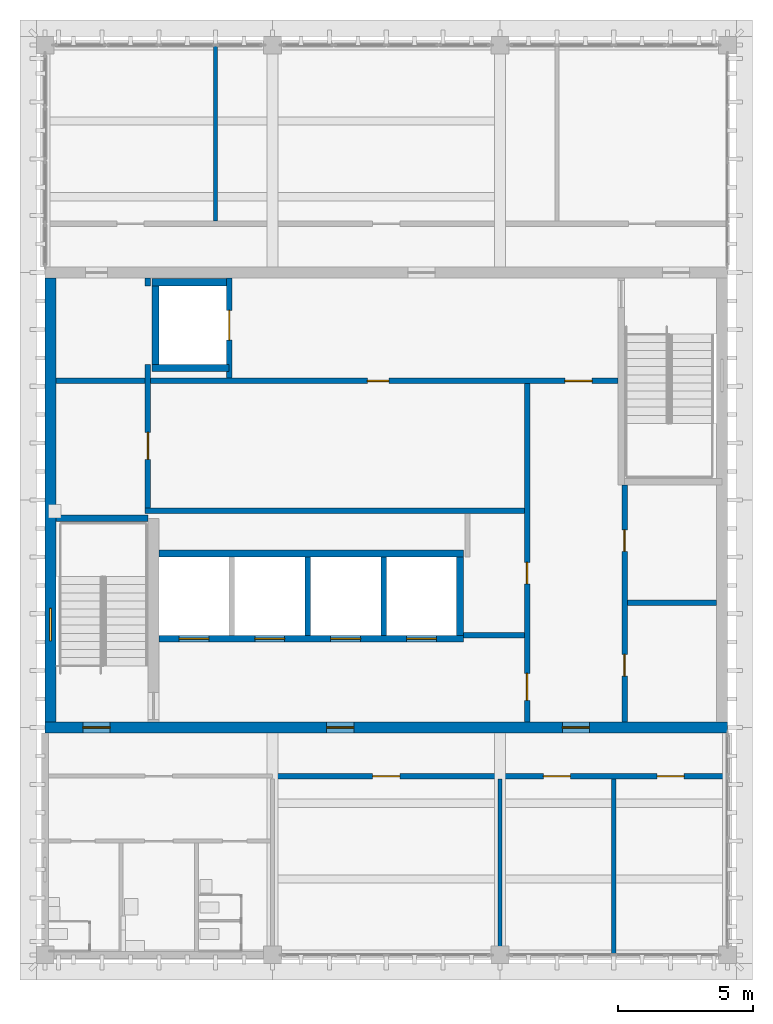
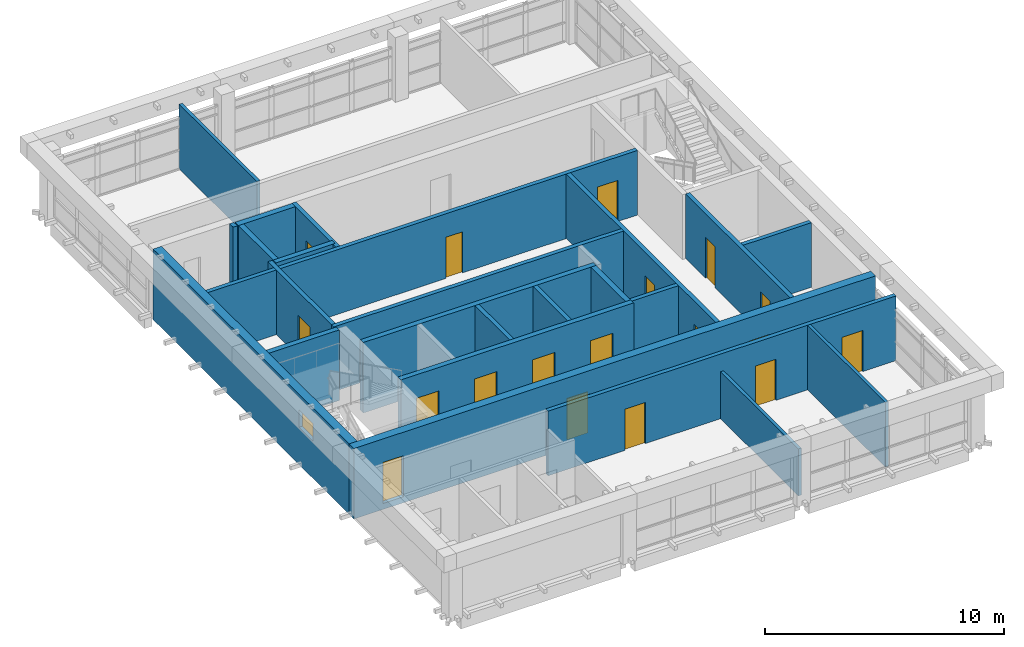
# One storey, part 6 of 10: 24 walls, 18 doors, 1 window, 19 openings.
"""IFC4 building model written with IfcOpenShell, lengths in metres."""

from ifc_helpers import new_model, si_unit, direction, frame, frame_2d, origin, place, context, subcontext, project, spatial, rectangle, extrude, material, layer, layer_set, type_object, element, fill, save


model = new_model("IFC4")

# Units and contexts
model_context = context("Model", 3, precision=1e-05, world=origin(), true_north=direction((0.0, 1.0)))
body_context = subcontext(model_context, "Body", "Model", "MODEL_VIEW")
ifc_project = project(units=[si_unit("LENGTHUNIT", "METRE"), si_unit("AREAUNIT", "SQUARE_METRE"), si_unit("VOLUMEUNIT", "CUBIC_METRE"), si_unit("PLANEANGLEUNIT", "RADIAN"), si_unit("MASSUNIT", "GRAM", prefix="KILO")], contexts=[model_context])

# Site, building, storey
site_placement = place(None, origin())
site = spatial("IfcSite", under=ifc_project, at=site_placement, CompositionType="ELEMENT")
building_placement = place(site_placement, origin())
building = spatial("IfcBuilding", under=site, at=building_placement, Name="Rulbaag Community and Learning Centre", CompositionType="ELEMENT")
storey_placement = place(building_placement, frame((0.0, 0.0, 61.199951171875)))
storey = spatial("IfcBuildingStorey", under=building, at=storey_placement, Name="L16", CompositionType="ELEMENT", Elevation=61.199951171875)

# Wall, openings, doors
ifc_material_1 = material(Name="Concrete blockwork", Category="masonry")
ifc_layer_1 = layer(ifc_material_1, 0.199951171875)
ifc_layer_set_1 = layer_set([ifc_layer_1], Name="FW-200 FIRE WALL 200")
wall_type_1 = type_object("IfcWallType", Name="FW-200 FIRE WALL 200", PredefinedType="SOLIDWALL", material=ifc_layer_set_1)
wall_1_placement = place(storey_placement, frame((151.199951171875, 90.60009765625, 0.0), z_axis=(0.0, 0.0, 1.0), x_axis=(1.0, 0.0, 0.0)))
wall_1 = element("IfcWall", 1, at=wall_1_placement, inside=storey, type_object=wall_type_1, Name="Fire wall L16 3", PredefinedType="SOLIDWALL", context=body_context, shape_type="SweptSolid", body=[
    extrude(rectangle(XDim=16.800048828125, YDim=0.199951171875, at=frame_2d((8.39990234375, 0.0))), origin(), (0.0, 0.0, 1.0), 3.300048828125),
])
opening_1_placement = place(wall_1_placement, frame((3.699951171875, 0.0, 0.0)))
opening_1 = element("IfcOpeningElement", 2, at=opening_1_placement, cuts=wall_1, Name="Opening L16-D019", PredefinedType="OPENING", context=body_context, shape_type="SweptSolid", body=[
    extrude(rectangle(XDim=1.0, YDim=2.10009765625, at=frame_2d((0.5, 1.050048828125))), frame((0.0, 0.10986328125, 0.0), z_axis=(0.0, -1.0, 0.0), x_axis=(1.0, 0.0, 0.0)), (0.0, 0.0, 1.0), 0.219970703125),
])
opening_2_placement = place(wall_1_placement, frame((10.0, 0.0, 0.0)))
opening_2 = element("IfcOpeningElement", 3, at=opening_2_placement, cuts=wall_1, Name="Opening L16-D025", PredefinedType="OPENING", context=body_context, shape_type="SweptSolid", body=[
    extrude(rectangle(XDim=1.0, YDim=2.10009765625, at=frame_2d((0.5, 1.050048828125))), frame((0.0, 0.10986328125, 0.0), z_axis=(0.0, -1.0, 0.0), x_axis=(1.0, 0.0, 0.0)), (0.0, 0.0, 1.0), 0.219970703125),
])
opening_3_placement = place(wall_1_placement, frame((14.199951171875, 0.0, 0.0)))
opening_3 = element("IfcOpeningElement", 4, at=opening_3_placement, cuts=wall_1, Name="Opening L16-D032", PredefinedType="OPENING", context=body_context, shape_type="SweptSolid", body=[
    extrude(rectangle(XDim=1.0, YDim=2.10009765625, at=frame_2d((0.5, 1.050048828125))), frame((0.0, 0.10986328125, 0.0), z_axis=(0.0, -1.0, 0.0), x_axis=(1.0, 0.0, 0.0)), (0.0, 0.0, 1.0), 0.219970703125),
])
ifc_material_2 = material(Name="Galvanised steel", Category="steel")
door_type_1 = type_object("IfcDoorType", Name="FD-1000 FIRE DOOR 1000 x 2100", OperationType="SINGLE_SWING_LEFT", PredefinedType="DOOR", material=ifc_material_2)
door_1_placement = place(opening_1_placement, origin())
door_1 = element("IfcDoor", 5, at=door_1_placement, inside=storey, type_object=door_type_1, Name="Door L16-D019", OperationType="SINGLE_SWING_LEFT", OverallHeight=2.10009765625, OverallWidth=1.0, PredefinedType="DOOR", context=body_context, shape_type="SweptSolid", body=[
    extrude(rectangle(XDim=1.0, YDim=2.10009765625, at=frame_2d((0.5, 1.050048828125))), frame((0.0, 0.02490234375, 0.0), z_axis=(0.0, -1.0, 0.0), x_axis=(1.0, 0.0, 0.0)), (0.0, 0.0, 1.0), 0.050048828125),
])
fill(opening_1, door_1)
door_2_placement = place(opening_2_placement, origin())
door_2 = element("IfcDoor", 6, at=door_2_placement, inside=storey, type_object=door_type_1, Name="Door L16-D025", OperationType="SINGLE_SWING_RIGHT", OverallHeight=2.10009765625, OverallWidth=1.0, PredefinedType="DOOR", context=body_context, shape_type="SweptSolid", body=[
    extrude(rectangle(XDim=1.0, YDim=2.10009765625, at=frame_2d((0.5, 1.050048828125))), frame((0.0, 0.02490234375, 0.0), z_axis=(0.0, -1.0, 0.0), x_axis=(1.0, 0.0, 0.0)), (0.0, 0.0, 1.0), 0.050048828125),
])
fill(opening_2, door_2)
door_3_placement = place(opening_3_placement, origin())
door_3 = element("IfcDoor", 7, at=door_3_placement, inside=storey, type_object=door_type_1, Name="Door L16-D032", OperationType="SINGLE_SWING_RIGHT", OverallHeight=2.10009765625, OverallWidth=1.0, PredefinedType="DOOR", context=body_context, shape_type="SweptSolid", body=[
    extrude(rectangle(XDim=1.0, YDim=2.10009765625, at=frame_2d((0.5, 1.050048828125))), frame((0.0, 0.02490234375, 0.0), z_axis=(0.0, -1.0, 0.0), x_axis=(1.0, 0.0, 0.0)), (0.0, 0.0, 1.0), 0.050048828125),
])
fill(opening_3, door_3)

# Walls
wall_2_placement = place(storey_placement, frame((158.25, 95.800048828125, 0.0), z_axis=(0.0, 0.0, 1.0), x_axis=(1.0, 0.0, 0.0)))
element("IfcWall", 8, at=wall_2_placement, inside=storey, type_object=wall_type_1, Name="Fire wall L16 5", PredefinedType="SOLIDWALL", context=body_context, shape_type="SweptSolid", body=[
    extrude(rectangle(XDim=2.25, YDim=0.199951171875, at=frame_2d((1.125, 0.0))), origin(), (0.0, 0.0, 1.0), 3.300048828125),
])
wall_3_placement = place(storey_placement, frame((164.300048828125, 97.0, 0.0), z_axis=(0.0, 0.0, 1.0), x_axis=(1.0, 0.0, 0.0)))
element("IfcWall", 9, at=wall_3_placement, inside=storey, type_object=wall_type_1, Name="Fire wall L16 6", PredefinedType="SOLIDWALL", context=body_context, shape_type="SweptSolid", body=[
    extrude(rectangle(XDim=3.300048828125, YDim=0.199951171875, at=frame_2d((1.64990234375, 0.0))), origin(), (0.0, 0.0, 1.0), 3.300048828125),
])
wall_4_placement = place(storey_placement, frame((146.5, 100.39990234375, 0.0), z_axis=(0.0, 0.0, 1.0), x_axis=(1.0, 0.0, 0.0)))
element("IfcWall", 10, at=wall_4_placement, inside=storey, type_object=wall_type_1, Name="Fire wall L16 8", PredefinedType="SOLIDWALL", context=body_context, shape_type="SweptSolid", body=[
    extrude(rectangle(XDim=14.0, YDim=0.199951171875, at=frame_2d((7.0, 0.0))), origin(), (0.0, 0.0, 1.0), 3.300048828125),
])

# Wall, openings, doors
wall_5_placement = place(storey_placement, frame((143.199951171875, 105.199951171875, 0.0), z_axis=(0.0, 0.0, 1.0), x_axis=(1.0, 0.0, 0.0)))
wall_5 = element("IfcWall", 11, at=wall_5_placement, inside=storey, type_object=wall_type_1, Name="Fire wall L16 9", PredefinedType="SOLIDWALL", context=body_context, shape_type="SweptSolid", body=[
    extrude(rectangle(XDim=20.75, YDim=0.199951171875, at=frame_2d((10.375, 0.0))), origin(), (0.0, 0.0, 1.0), 3.300048828125),
])
opening_4_placement = place(wall_5_placement, frame((11.5, 0.0, 0.0)))
opening_4 = element("IfcOpeningElement", 12, at=opening_4_placement, cuts=wall_5, Name="Opening L16-D018", PredefinedType="OPENING", context=body_context, shape_type="SweptSolid", body=[
    extrude(rectangle(XDim=0.800048828125, YDim=2.10009765625, at=frame_2d((0.39990234375, 1.050048828125))), frame((0.0, 0.10986328125, 0.0), z_axis=(0.0, -1.0, 0.0), x_axis=(1.0, 0.0, 0.0)), (0.0, 0.0, 1.0), 0.219970703125),
])
opening_5_placement = place(wall_5_placement, frame((18.800048828125, 0.0, 0.0)))
opening_5 = element("IfcOpeningElement", 13, at=opening_5_placement, cuts=wall_5, Name="Opening L16-D027", PredefinedType="OPENING", context=body_context, shape_type="SweptSolid", body=[
    extrude(rectangle(XDim=1.0, YDim=2.10009765625, at=frame_2d((0.5, 1.050048828125))), frame((0.0, 0.10986328125, 0.0), z_axis=(0.0, -1.0, 0.0), x_axis=(1.0, 0.0, 0.0)), (0.0, 0.0, 1.0), 0.219970703125),
])
door_4_placement = place(opening_5_placement, origin())
door_4 = element("IfcDoor", 14, at=door_4_placement, inside=storey, type_object=door_type_1, Name="Door L16-D027", OperationType="SINGLE_SWING_LEFT", OverallHeight=2.10009765625, OverallWidth=1.0, PredefinedType="DOOR", context=body_context, shape_type="SweptSolid", body=[
    extrude(rectangle(XDim=1.0, YDim=2.10009765625, at=frame_2d((0.5, 1.050048828125))), frame((0.0, 0.02490234375, 0.0), z_axis=(0.0, -1.0, 0.0), x_axis=(1.0, 0.0, 0.0)), (0.0, 0.0, 1.0), 0.050048828125),
])
fill(opening_5, door_4)
door_type_2 = type_object("IfcDoorType", Name="FDR-800 RISER FIRE DOOR 800 x 2100", OperationType="SINGLE_SWING_LEFT", PredefinedType="DOOR", material=ifc_material_2)
door_5_placement = place(opening_4_placement, origin())
door_5 = element("IfcDoor", 15, at=door_5_placement, inside=storey, type_object=door_type_2, Name="Riser door L16-D022", OperationType="SINGLE_SWING_RIGHT", OverallHeight=2.10009765625, OverallWidth=0.800048828125, PredefinedType="DOOR", context=body_context, shape_type="SweptSolid", body=[
    extrude(rectangle(XDim=0.800048828125, YDim=2.10009765625, at=frame_2d((0.39990234375, 1.050048828125))), frame((0.0, 0.02490234375, 0.0), z_axis=(0.0, -1.0, 0.0), x_axis=(1.0, 0.0, 0.0)), (0.0, 0.0, 1.0), 0.050048828125),
])
fill(opening_4, door_5)

# Wall, opening, door
wall_6_placement = place(storey_placement, frame((146.60009765625, 100.5, 0.0), z_axis=(0.0, 0.0, 1.0), x_axis=(0.0, 1.0, 0.0)))
wall_6 = element("IfcWall", 16, at=wall_6_placement, inside=storey, type_object=wall_type_1, Name="Fire wall L16 12", PredefinedType="SOLIDWALL", context=body_context, shape_type="SweptSolid", body=[
    extrude(rectangle(XDim=5.300048828125, YDim=0.199951171875, at=frame_2d((2.64990234375, 0.0))), origin(), (0.0, 0.0, 1.0), 3.300048828125),
])
opening_6_placement = place(wall_6_placement, frame((1.800048828125, 0.0, 0.0)))
opening_6 = element("IfcOpeningElement", 17, at=opening_6_placement, cuts=wall_6, Name="Opening L16-D006", PredefinedType="OPENING", context=body_context, shape_type="SweptSolid", body=[
    extrude(rectangle(XDim=1.0, YDim=2.10009765625, at=frame_2d((0.5, 1.050048828125))), frame((0.0, 0.10986328125, 0.0), z_axis=(0.0, -1.0, 0.0), x_axis=(1.0, 0.0, 0.0)), (0.0, 0.0, 1.0), 0.219970703125),
])
door_6_placement = place(opening_6_placement, origin())
door_6 = element("IfcDoor", 18, at=door_6_placement, inside=storey, type_object=door_type_1, Name="Door L16-D006", OperationType="SINGLE_SWING_LEFT", OverallHeight=2.10009765625, OverallWidth=1.0, PredefinedType="DOOR", context=body_context, shape_type="SweptSolid", body=[
    extrude(rectangle(XDim=1.0, YDim=2.10009765625, at=frame_2d((0.5, 1.050048828125))), frame((0.0, 0.02490234375, 0.0), z_axis=(0.0, -1.0, 0.0), x_axis=(1.0, 0.0, 0.0)), (0.0, 0.0, 1.0), 0.050048828125),
])
fill(opening_6, door_6)

# Wall
wall_7_placement = place(storey_placement, frame((146.60009765625, 108.699951171875, 0.0), z_axis=(0.0, 0.0, 1.0), x_axis=(0.0, 1.0, 0.0)))
element("IfcWall", 19, at=wall_7_placement, inside=storey, type_object=wall_type_1, Name="Fire wall L16 13", PredefinedType="SOLIDWALL", context=body_context, shape_type="SweptSolid", body=[
    extrude(rectangle(XDim=0.300048828125, YDim=0.199951171875, at=frame_2d((0.14990234375, 0.0))), origin(), (0.0, 0.0, 1.0), 3.300048828125),
])

# Wall, opening, door
wall_8_placement = place(storey_placement, frame((149.60009765625, 105.300048828125, 0.0), z_axis=(0.0, 0.0, 1.0), x_axis=(0.0, 1.0, 0.0)))
wall_8 = element("IfcWall", 20, at=wall_8_placement, inside=storey, type_object=wall_type_1, Name="Fire wall L16 16", PredefinedType="SOLIDWALL", context=body_context, shape_type="SweptSolid", body=[
    extrude(rectangle(XDim=3.699951171875, YDim=0.199951171875, at=frame_2d((1.85009765625, 0.0))), origin(), (0.0, 0.0, 1.0), 3.300048828125),
])
opening_7_placement = place(wall_8_placement, frame((1.39990234375, 0.0, 0.0)))
opening_7 = element("IfcOpeningElement", 21, at=opening_7_placement, cuts=wall_8, Name="Opening L16-D011", PredefinedType="OPENING", context=body_context, shape_type="SweptSolid", body=[
    extrude(rectangle(XDim=1.10009765625, YDim=2.10009765625, at=frame_2d((0.550048828125, 1.050048828125))), frame((0.0, 0.10986328125, 0.0), z_axis=(0.0, -1.0, 0.0), x_axis=(1.0, 0.0, 0.0)), (0.0, 0.0, 1.0), 0.219970703125),
])
ifc_material_3 = material(Name="Stainless steel grade 304", Category="steel")
door_type_3 = type_object("IfcDoorType", Name="LD-1100 LIFT LANDING DOOR 1100 x 2100", OperationType="SLIDING_TO_LEFT", PredefinedType="DOOR", material=ifc_material_3)
door_7_placement = place(opening_7_placement, origin())
door_7 = element("IfcDoor", 22, at=door_7_placement, inside=storey, type_object=door_type_3, Name="Lift landing door LF1 L16", OperationType="SLIDING_TO_LEFT", OverallHeight=2.10009765625, OverallWidth=1.10009765625, PredefinedType="DOOR", context=body_context, shape_type="SweptSolid", body=[
    extrude(rectangle(XDim=1.10009765625, YDim=2.10009765625, at=frame_2d((0.550048828125, 1.050048828125))), frame((0.0, 0.02490234375, 0.0), z_axis=(0.0, -1.0, 0.0), x_axis=(1.0, 0.0, 0.0)), (0.0, 0.0, 1.0), 0.050048828125),
])
fill(opening_7, door_7)

# Wall, openings, doors
wall_9_placement = place(storey_placement, frame((160.60009765625, 92.60009765625, 0.0), z_axis=(0.0, 0.0, 1.0), x_axis=(0.0, 1.0, 0.0)))
wall_9 = element("IfcWall", 23, at=wall_9_placement, inside=storey, type_object=wall_type_1, Name="Fire wall L16 20", PredefinedType="SOLIDWALL", context=body_context, shape_type="SweptSolid", body=[
    extrude(rectangle(XDim=12.5, YDim=0.199951171875, at=frame_2d((6.25, 0.0))), origin(), (0.0, 0.0, 1.0), 3.300048828125),
])
opening_8_placement = place(wall_9_placement, frame((5.10009765625, 0.0, 0.0)))
opening_8 = element("IfcOpeningElement", 24, at=opening_8_placement, cuts=wall_9, Name="Opening L16-D024", PredefinedType="OPENING", context=body_context, shape_type="SweptSolid", body=[
    extrude(rectangle(XDim=0.800048828125, YDim=2.10009765625, at=frame_2d((0.39990234375, 1.050048828125))), frame((0.0, 0.10986328125, 0.0), z_axis=(0.0, -1.0, 0.0), x_axis=(1.0, 0.0, 0.0)), (0.0, 0.0, 1.0), 0.219970703125),
])
opening_9_placement = place(wall_9_placement, frame((0.800048828125, 0.0, 0.0)))
opening_9 = element("IfcOpeningElement", 25, at=opening_9_placement, cuts=wall_9, Name="Opening L16-D023", PredefinedType="OPENING", context=body_context, shape_type="SweptSolid", body=[
    extrude(rectangle(XDim=1.0, YDim=2.10009765625, at=frame_2d((0.5, 1.050048828125))), frame((0.0, 0.10986328125, 0.0), z_axis=(0.0, -1.0, 0.0), x_axis=(1.0, 0.0, 0.0)), (0.0, 0.0, 1.0), 0.219970703125),
])
door_8_placement = place(opening_9_placement, origin())
door_8 = element("IfcDoor", 26, at=door_8_placement, inside=storey, type_object=door_type_1, Name="Door L16-D023", OperationType="SINGLE_SWING_LEFT", OverallHeight=2.10009765625, OverallWidth=1.0, PredefinedType="DOOR", context=body_context, shape_type="SweptSolid", body=[
    extrude(rectangle(XDim=1.0, YDim=2.10009765625, at=frame_2d((0.5, 1.050048828125))), frame((0.0, 0.02490234375, 0.0), z_axis=(0.0, -1.0, 0.0), x_axis=(1.0, 0.0, 0.0)), (0.0, 0.0, 1.0), 0.050048828125),
])
fill(opening_9, door_8)
door_9_placement = place(opening_8_placement, origin())
door_9 = element("IfcDoor", 27, at=door_9_placement, inside=storey, type_object=door_type_2, Name="Riser door L16-D021", OperationType="SINGLE_SWING_RIGHT", OverallHeight=2.10009765625, OverallWidth=0.800048828125, PredefinedType="DOOR", context=body_context, shape_type="SweptSolid", body=[
    extrude(rectangle(XDim=0.800048828125, YDim=2.10009765625, at=frame_2d((0.39990234375, 1.050048828125))), frame((0.0, 0.02490234375, 0.0), z_axis=(0.0, -1.0, 0.0), x_axis=(1.0, 0.0, 0.0)), (0.0, 0.0, 1.0), 0.050048828125),
])
fill(opening_8, door_9)

wall_10_placement = place(storey_placement, frame((164.199951171875, 92.60009765625, 0.0), z_axis=(0.0, 0.0, 1.0), x_axis=(0.0, 1.0, 0.0)))
wall_10 = element("IfcWall", 28, at=wall_10_placement, inside=storey, type_object=wall_type_1, Name="Fire wall L16 23", PredefinedType="SOLIDWALL", context=body_context, shape_type="SweptSolid", body=[
    extrude(rectangle(XDim=8.75, YDim=0.199951171875, at=frame_2d((4.375, 0.0))), origin(), (0.0, 0.0, 1.0), 3.300048828125),
])
opening_10_placement = place(wall_10_placement, frame((1.699951171875, 0.0, 0.0)))
opening_10 = element("IfcOpeningElement", 29, at=opening_10_placement, cuts=wall_10, Name="Opening L16-D029", PredefinedType="OPENING", context=body_context, shape_type="SweptSolid", body=[
    extrude(rectangle(XDim=0.800048828125, YDim=2.10009765625, at=frame_2d((0.39990234375, 1.050048828125))), frame((0.0, 0.10986328125, 0.0), z_axis=(0.0, -1.0, 0.0), x_axis=(1.0, 0.0, 0.0)), (0.0, 0.0, 1.0), 0.219970703125),
])
opening_11_placement = place(wall_10_placement, frame((6.300048828125, 0.0, 0.0)))
opening_11 = element("IfcOpeningElement", 30, at=opening_11_placement, cuts=wall_10, Name="Opening L16-D030", PredefinedType="OPENING", context=body_context, shape_type="SweptSolid", body=[
    extrude(rectangle(XDim=0.800048828125, YDim=2.10009765625, at=frame_2d((0.39990234375, 1.050048828125))), frame((0.0, 0.10986328125, 0.0), z_axis=(0.0, -1.0, 0.0), x_axis=(1.0, 0.0, 0.0)), (0.0, 0.0, 1.0), 0.219970703125),
])
door_10_placement = place(opening_10_placement, origin())
door_10 = element("IfcDoor", 31, at=door_10_placement, inside=storey, type_object=door_type_2, Name="Riser door L16-D019", OperationType="SINGLE_SWING_LEFT", OverallHeight=2.10009765625, OverallWidth=0.800048828125, PredefinedType="DOOR", context=body_context, shape_type="SweptSolid", body=[
    extrude(rectangle(XDim=0.800048828125, YDim=2.10009765625, at=frame_2d((0.39990234375, 1.050048828125))), frame((0.0, 0.02490234375, 0.0), z_axis=(0.0, -1.0, 0.0), x_axis=(1.0, 0.0, 0.0)), (0.0, 0.0, 1.0), 0.050048828125),
])
fill(opening_10, door_10)
door_11_placement = place(opening_11_placement, origin())
door_11 = element("IfcDoor", 32, at=door_11_placement, inside=storey, type_object=door_type_2, Name="Riser door L16-D020", OperationType="SINGLE_SWING_RIGHT", OverallHeight=2.10009765625, OverallWidth=0.800048828125, PredefinedType="DOOR", context=body_context, shape_type="SweptSolid", body=[
    extrude(rectangle(XDim=0.800048828125, YDim=2.10009765625, at=frame_2d((0.39990234375, 1.050048828125))), frame((0.0, 0.02490234375, 0.0), z_axis=(0.0, -1.0, 0.0), x_axis=(1.0, 0.0, 0.0)), (0.0, 0.0, 1.0), 0.050048828125),
])
fill(opening_11, door_11)

# Walls
ifc_layer_2 = layer(ifc_material_1, 0.14990234375)
ifc_layer_set_2 = layer_set([ifc_layer_2], Name="IP-150 PARTITION 150")
wall_type_2 = type_object("IfcWallType", Name="IP-150 PARTITION 150", PredefinedType="PARTITIONING", material=ifc_layer_set_2)
wall_11_placement = place(storey_placement, frame((149.10009765625, 111.10009765625, 0.0), z_axis=(0.0, 0.0, 1.0), x_axis=(0.0, 1.0, 0.0)))
element("IfcWall", 33, at=wall_11_placement, inside=storey, type_object=wall_type_2, Name="Partition L16 15", PredefinedType="PARTITIONING", context=body_context, shape_type="SweptSolid", body=[
    extrude(rectangle(XDim=6.5, YDim=0.14990234375, at=frame_2d((3.25, 0.0))), origin(), (0.0, 0.0, 1.0), 3.300048828125),
])
wall_12_placement = place(storey_placement, frame((159.60009765625, 84.0, 0.0), z_axis=(0.0, 0.0, 1.0), x_axis=(0.0, 1.0, 0.0)))
element("IfcWall", 34, at=wall_12_placement, inside=storey, type_object=wall_type_2, Name="Partition L16 19", PredefinedType="PARTITIONING", context=body_context, shape_type="SweptSolid", body=[
    extrude(rectangle(XDim=6.5, YDim=0.14990234375, at=frame_2d((3.25, 0.0))), origin(), (0.0, 0.0, 1.0), 2.400146484375),
])
wall_13_placement = place(storey_placement, frame((163.800048828125, 84.0, 0.0), z_axis=(0.0, 0.0, 1.0), x_axis=(0.0, 1.0, 0.0)))
element("IfcWall", 35, at=wall_13_placement, inside=storey, type_object=wall_type_2, Name="Partition L16 22", PredefinedType="PARTITIONING", context=body_context, shape_type="SweptSolid", body=[
    extrude(rectangle(XDim=6.5, YDim=0.14990234375, at=frame_2d((3.25, 0.0))), origin(), (0.0, 0.0, 1.0), 3.300048828125),
])
ifc_material_4 = material(Name="Concrete M40", Category="concrete")
ifc_layer_3 = layer(ifc_material_4, 0.27490234375)
ifc_layer_set_3 = layer_set([ifc_layer_3], Name="W16 Shaft wall 275 Concrete M40")
wall_type_3 = type_object("IfcWallType", Name="W16 Shaft wall 275 Concrete M40", PredefinedType="SHEAR", material=ifc_layer_set_3)
wall_14_placement = place(storey_placement, frame((146.75, 108.83740234375, -0.300048828125), z_axis=(0.0, 0.0, 1.0), x_axis=(1.0, 0.0, 0.0)))
element("IfcWall", 36, at=wall_14_placement, inside=storey, type_object=wall_type_3, Name="WL-LF-N-L16", PredefinedType="SHEAR", context=body_context, shape_type="SweptSolid", body=[
    extrude(rectangle(XDim=2.85009765625, YDim=0.27490234375, at=frame_2d((1.425048828125, 0.0))), origin(), (0.0, 0.0, 1.0), 3.60009765625),
])

# Wall, openings, doors
ifc_material_5 = material(Name="Concrete M60", Category="concrete")
ifc_layer_4 = layer(ifc_material_5, 0.39990234375)
ifc_layer_set_4 = layer_set([ifc_layer_4], Name="W2 Core wall 400 Concrete M60")
wall_type_4 = type_object("IfcWallType", Name="W2 Core wall 400 Concrete M60", PredefinedType="SHEAR", material=ifc_layer_set_4)
wall_15_placement = place(storey_placement, frame((142.800048828125, 92.39990234375, -0.300048828125), z_axis=(0.0, 0.0, 1.0), x_axis=(1.0, 0.0, 0.0)))
wall_15 = element("IfcWall", 37, at=wall_15_placement, inside=storey, type_object=wall_type_4, Name="WL-CORE-S-L16", PredefinedType="SHEAR", context=body_context, shape_type="SweptSolid", body=[
    extrude(rectangle(XDim=25.199951171875, YDim=0.39990234375, at=frame_2d((12.60009765625, 0.0))), origin(), (0.0, 0.0, 1.0), 3.60009765625),
])
opening_12_placement = place(wall_15_placement, frame((1.39990234375, 0.0, 0.300048828125)))
opening_12 = element("IfcOpeningElement", 38, at=opening_12_placement, cuts=wall_15, Name="Opening L16-D003", PredefinedType="OPENING", context=body_context, shape_type="SweptSolid", body=[
    extrude(rectangle(XDim=1.0, YDim=2.10009765625, at=frame_2d((0.5, 1.050048828125))), frame((0.0, 0.2099609375, 0.0), z_axis=(0.0, -1.0, 0.0), x_axis=(1.0, 0.0, 0.0)), (0.0, 0.0, 1.0), 0.419921875),
])
opening_13_placement = place(wall_15_placement, frame((19.10009765625, 0.0, 0.300048828125)))
opening_13 = element("IfcOpeningElement", 39, at=opening_13_placement, cuts=wall_15, Name="Opening L16-D026", PredefinedType="OPENING", context=body_context, shape_type="SweptSolid", body=[
    extrude(rectangle(XDim=1.0, YDim=2.10009765625, at=frame_2d((0.5, 1.050048828125))), frame((0.0, 0.2099609375, 0.0), z_axis=(0.0, -1.0, 0.0), x_axis=(1.0, 0.0, 0.0)), (0.0, 0.0, 1.0), 0.419921875),
])
opening_14_placement = place(wall_15_placement, frame((10.39990234375, 0.0, 0.300048828125)))
opening_14 = element("IfcOpeningElement", 40, at=opening_14_placement, cuts=wall_15, Name="Opening L16-D016", PredefinedType="OPENING", context=body_context, shape_type="SweptSolid", body=[
    extrude(rectangle(XDim=1.0, YDim=2.10009765625, at=frame_2d((0.5, 1.050048828125))), frame((0.0, 0.2099609375, 0.0), z_axis=(0.0, -1.0, 0.0), x_axis=(1.0, 0.0, 0.0)), (0.0, 0.0, 1.0), 0.419921875),
])
ifc_material_6 = material(Name="Timber", Category="wood")
door_type_4 = type_object("IfcDoorType", Name="D-1000 DOOR 1000 x 2100", OperationType="SINGLE_SWING_LEFT", PredefinedType="DOOR", material=ifc_material_6)
door_12_placement = place(opening_13_placement, origin())
door_12 = element("IfcDoor", 41, at=door_12_placement, inside=storey, type_object=door_type_4, Name="Door L16-D026", OperationType="SINGLE_SWING_LEFT", OverallHeight=2.10009765625, OverallWidth=1.0, PredefinedType="DOOR", context=body_context, shape_type="SweptSolid", body=[
    extrude(rectangle(XDim=1.0, YDim=2.10009765625, at=frame_2d((0.5, 1.050048828125))), frame((0.0, 0.02490234375, 0.0), z_axis=(0.0, -1.0, 0.0), x_axis=(1.0, 0.0, 0.0)), (0.0, 0.0, 1.0), 0.050048828125),
])
fill(opening_13, door_12)
door_13_placement = place(opening_12_placement, origin())
door_13 = element("IfcDoor", 42, at=door_13_placement, inside=storey, type_object=door_type_1, Name="Door L16-D003", OperationType="SINGLE_SWING_RIGHT", OverallHeight=2.10009765625, OverallWidth=1.0, PredefinedType="DOOR", context=body_context, shape_type="SweptSolid", body=[
    extrude(rectangle(XDim=1.0, YDim=2.10009765625, at=frame_2d((0.5, 1.050048828125))), frame((0.0, 0.02490234375, 0.0), z_axis=(0.0, -1.0, 0.0), x_axis=(1.0, 0.0, 0.0)), (0.0, 0.0, 1.0), 0.050048828125),
])
fill(opening_12, door_13)
door_14_placement = place(opening_14_placement, origin())
door_14 = element("IfcDoor", 43, at=door_14_placement, inside=storey, type_object=door_type_1, Name="Door L16-D016", OperationType="SINGLE_SWING_RIGHT", OverallHeight=2.10009765625, OverallWidth=1.0, PredefinedType="DOOR", context=body_context, shape_type="SweptSolid", body=[
    extrude(rectangle(XDim=1.0, YDim=2.10009765625, at=frame_2d((0.5, 1.050048828125))), frame((0.0, 0.02490234375, 0.0), z_axis=(0.0, -1.0, 0.0), x_axis=(1.0, 0.0, 0.0)), (0.0, 0.0, 1.0), 0.050048828125),
])
fill(opening_14, door_14)

# Wall, opening, window
wall_16_placement = place(storey_placement, frame((143.0, 92.60009765625, -0.300048828125), z_axis=(0.0, 0.0, 1.0), x_axis=(0.0, 1.0, 0.0)))
wall_16 = element("IfcWall", 44, at=wall_16_placement, inside=storey, type_object=wall_type_4, Name="WL-CORE-W-L16", PredefinedType="SHEAR", context=body_context, shape_type="SweptSolid", body=[
    extrude(rectangle(XDim=16.39990234375, YDim=0.39990234375, at=frame_2d((8.199951171875, 0.0))), origin(), (0.0, 0.0, 1.0), 3.60009765625),
])
opening_15_placement = place(wall_16_placement, frame((3.0, 0.0, 1.89990234375)))
opening_15 = element("IfcOpeningElement", 45, at=opening_15_placement, cuts=wall_16, Name="Opening WN19", PredefinedType="OPENING", context=body_context, shape_type="SweptSolid", body=[
    extrude(rectangle(XDim=1.199951171875, YDim=0.89990234375, at=frame_2d((0.60009765625, 0.449951171875))), frame((0.0, 0.2099609375, 0.0), z_axis=(0.0, -1.0, 0.0), x_axis=(1.0, 0.0, 0.0)), (0.0, 0.0, 1.0), 0.419921875),
])
ifc_material_7 = material(Name="Aluminium", Category="aluminium")
window_type = type_object("IfcWindowType", Name="WS-12", PartitioningType="SINGLE_PANEL", PredefinedType="WINDOW", material=ifc_material_7)
window_placement = place(opening_15_placement, origin())
window = element("IfcWindow", 46, at=window_placement, inside=storey, type_object=window_type, Name="Stair window", OverallHeight=0.89990234375, OverallWidth=1.199951171875, PartitioningType="SINGLE_PANEL", PredefinedType="WINDOW", context=body_context, shape_type="SweptSolid", body=[
    extrude(rectangle(XDim=1.199951171875, YDim=0.89990234375, at=frame_2d((0.60009765625, 0.449951171875))), frame((0.0, 0.030029296875, 0.0), z_axis=(0.0, -1.0, 0.0), x_axis=(1.0, 0.0, 0.0)), (0.0, 0.0, 1.0), 0.06005859375),
])
fill(opening_15, window)

# Wall
ifc_layer_5 = layer(ifc_material_4, 0.25)
ifc_layer_set_5 = layer_set([ifc_layer_5], Name="W5 Shaft wall 250 Concrete M40")
wall_type_5 = type_object("IfcWallType", Name="W5 Shaft wall 250 Concrete M40", PredefinedType="SHEAR", material=ifc_layer_set_5)
wall_17_placement = place(storey_placement, frame((143.199951171875, 100.125, -0.300048828125), z_axis=(0.0, 0.0, 1.0), x_axis=(1.0, 0.0, 0.0)))
element("IfcWall", 47, at=wall_17_placement, inside=storey, type_object=wall_type_5, Name="WL-ST1-N-L16", PredefinedType="SHEAR", context=body_context, shape_type="SweptSolid", body=[
    extrude(rectangle(XDim=3.400146484375, YDim=0.25, at=frame_2d((1.7001953125, 0.0))), origin(), (0.0, 0.0, 1.0), 3.60009765625),
])

# Wall, openings, doors
wall_18_placement = place(storey_placement, frame((147.0, 95.675048828125, -0.300048828125), z_axis=(0.0, 0.0, 1.0), x_axis=(1.0, 0.0, 0.0)))
wall_18 = element("IfcWall", 48, at=wall_18_placement, inside=storey, type_object=wall_type_5, Name="WL-LP-S-L16", PredefinedType="SHEAR", context=body_context, shape_type="SweptSolid", body=[
    extrude(rectangle(XDim=11.25, YDim=0.25, at=frame_2d((5.625, 0.0))), origin(), (0.0, 0.0, 1.0), 3.60009765625),
])
opening_16_placement = place(wall_18_placement, frame((0.75, 0.0, 0.300048828125)))
opening_16 = element("IfcOpeningElement", 49, at=opening_16_placement, cuts=wall_18, Name="Opening L16-D010", PredefinedType="OPENING", context=body_context, shape_type="SweptSolid", body=[
    extrude(rectangle(XDim=1.10009765625, YDim=2.10009765625, at=frame_2d((0.550048828125, 1.050048828125))), frame((0.0, 0.135009765625, 0.0), z_axis=(0.0, -1.0, 0.0), x_axis=(1.0, 0.0, 0.0)), (0.0, 0.0, 1.0), 0.27001953125),
])
opening_17_placement = place(wall_18_placement, frame((3.550048828125, 0.0, 0.300048828125)))
opening_17 = element("IfcOpeningElement", 50, at=opening_17_placement, cuts=wall_18, Name="Opening L16-D015", PredefinedType="OPENING", context=body_context, shape_type="SweptSolid", body=[
    extrude(rectangle(XDim=1.10009765625, YDim=2.10009765625, at=frame_2d((0.550048828125, 1.050048828125))), frame((0.0, 0.135009765625, 0.0), z_axis=(0.0, -1.0, 0.0), x_axis=(1.0, 0.0, 0.0)), (0.0, 0.0, 1.0), 0.27001953125),
])
opening_18_placement = place(wall_18_placement, frame((6.35009765625, 0.0, 0.300048828125)))
opening_18 = element("IfcOpeningElement", 51, at=opening_18_placement, cuts=wall_18, Name="Opening L16-D017", PredefinedType="OPENING", context=body_context, shape_type="SweptSolid", body=[
    extrude(rectangle(XDim=1.10009765625, YDim=2.10009765625, at=frame_2d((0.550048828125, 1.050048828125))), frame((0.0, 0.135009765625, 0.0), z_axis=(0.0, -1.0, 0.0), x_axis=(1.0, 0.0, 0.0)), (0.0, 0.0, 1.0), 0.27001953125),
])
opening_19_placement = place(wall_18_placement, frame((9.14990234375, 0.0, 0.300048828125)))
opening_19 = element("IfcOpeningElement", 52, at=opening_19_placement, cuts=wall_18, Name="Opening L16-D021", PredefinedType="OPENING", context=body_context, shape_type="SweptSolid", body=[
    extrude(rectangle(XDim=1.10009765625, YDim=2.10009765625, at=frame_2d((0.550048828125, 1.050048828125))), frame((0.0, 0.135009765625, 0.0), z_axis=(0.0, -1.0, 0.0), x_axis=(1.0, 0.0, 0.0)), (0.0, 0.0, 1.0), 0.27001953125),
])
door_15_placement = place(opening_16_placement, origin())
door_15 = element("IfcDoor", 53, at=door_15_placement, inside=storey, type_object=door_type_3, Name="Lift landing door LP1 L16", OperationType="SLIDING_TO_LEFT", OverallHeight=2.10009765625, OverallWidth=1.10009765625, PredefinedType="DOOR", context=body_context, shape_type="SweptSolid", body=[
    extrude(rectangle(XDim=1.10009765625, YDim=2.10009765625, at=frame_2d((0.550048828125, 1.050048828125))), frame((0.0, 0.02490234375, 0.0), z_axis=(0.0, -1.0, 0.0), x_axis=(1.0, 0.0, 0.0)), (0.0, 0.0, 1.0), 0.050048828125),
])
fill(opening_16, door_15)
door_16_placement = place(opening_17_placement, origin())
door_16 = element("IfcDoor", 54, at=door_16_placement, inside=storey, type_object=door_type_3, Name="Lift landing door LP2 L16", OperationType="SLIDING_TO_LEFT", OverallHeight=2.10009765625, OverallWidth=1.10009765625, PredefinedType="DOOR", context=body_context, shape_type="SweptSolid", body=[
    extrude(rectangle(XDim=1.10009765625, YDim=2.10009765625, at=frame_2d((0.550048828125, 1.050048828125))), frame((0.0, 0.02490234375, 0.0), z_axis=(0.0, -1.0, 0.0), x_axis=(1.0, 0.0, 0.0)), (0.0, 0.0, 1.0), 0.050048828125),
])
fill(opening_17, door_16)
door_17_placement = place(opening_18_placement, origin())
door_17 = element("IfcDoor", 55, at=door_17_placement, inside=storey, type_object=door_type_3, Name="Lift landing door LP3 L16", OperationType="SLIDING_TO_LEFT", OverallHeight=2.10009765625, OverallWidth=1.10009765625, PredefinedType="DOOR", context=body_context, shape_type="SweptSolid", body=[
    extrude(rectangle(XDim=1.10009765625, YDim=2.10009765625, at=frame_2d((0.550048828125, 1.050048828125))), frame((0.0, 0.02490234375, 0.0), z_axis=(0.0, -1.0, 0.0), x_axis=(1.0, 0.0, 0.0)), (0.0, 0.0, 1.0), 0.050048828125),
])
fill(opening_18, door_17)
door_18_placement = place(opening_19_placement, origin())
door_18 = element("IfcDoor", 56, at=door_18_placement, inside=storey, type_object=door_type_3, Name="Lift landing door LP4 L16", OperationType="SLIDING_TO_LEFT", OverallHeight=2.10009765625, OverallWidth=1.10009765625, PredefinedType="DOOR", context=body_context, shape_type="SweptSolid", body=[
    extrude(rectangle(XDim=1.10009765625, YDim=2.10009765625, at=frame_2d((0.550048828125, 1.050048828125))), frame((0.0, 0.02490234375, 0.0), z_axis=(0.0, -1.0, 0.0), x_axis=(1.0, 0.0, 0.0)), (0.0, 0.0, 1.0), 0.050048828125),
])
fill(opening_19, door_18)

# Walls
wall_19_placement = place(storey_placement, frame((147.0, 98.824951171875, -0.300048828125), z_axis=(0.0, 0.0, 1.0), x_axis=(1.0, 0.0, 0.0)))
element("IfcWall", 57, at=wall_19_placement, inside=storey, type_object=wall_type_5, Name="WL-LP-N-L16", PredefinedType="SHEAR", context=body_context, shape_type="SweptSolid", body=[
    extrude(rectangle(XDim=11.25, YDim=0.25, at=frame_2d((5.625, 0.0))), origin(), (0.0, 0.0, 1.0), 3.60009765625),
])
wall_20_placement = place(storey_placement, frame((158.125, 95.800048828125, -0.300048828125), z_axis=(0.0, 0.0, 1.0), x_axis=(0.0, 1.0, 0.0)))
element("IfcWall", 58, at=wall_20_placement, inside=storey, type_object=wall_type_5, Name="WL-LP-E-L16", PredefinedType="SHEAR", context=body_context, shape_type="SweptSolid", body=[
    extrude(rectangle(XDim=2.89990234375, YDim=0.25, at=frame_2d((1.449951171875, 0.0))), origin(), (0.0, 0.0, 1.0), 3.60009765625),
])
wall_21_placement = place(storey_placement, frame((146.75, 105.675048828125, -0.300048828125), z_axis=(0.0, 0.0, 1.0), x_axis=(1.0, 0.0, 0.0)))
element("IfcWall", 59, at=wall_21_placement, inside=storey, type_object=wall_type_5, Name="WL-LF-S-L16", PredefinedType="SHEAR", context=body_context, shape_type="SweptSolid", body=[
    extrude(rectangle(XDim=2.85009765625, YDim=0.25, at=frame_2d((1.425048828125, 0.0))), origin(), (0.0, 0.0, 1.0), 3.60009765625),
])
wall_22_placement = place(storey_placement, frame((146.875, 105.800048828125, -0.300048828125), z_axis=(0.0, 0.0, 1.0), x_axis=(0.0, 1.0, 0.0)))
element("IfcWall", 60, at=wall_22_placement, inside=storey, type_object=wall_type_5, Name="WL-LF-W-L16", PredefinedType="SHEAR", context=body_context, shape_type="SweptSolid", body=[
    extrude(rectangle(XDim=2.89990234375, YDim=0.25, at=frame_2d((1.449951171875, 0.0))), origin(), (0.0, 0.0, 1.0), 3.60009765625),
])
ifc_layer_6 = layer(ifc_material_4, 0.199951171875)
ifc_layer_set_6 = layer_set([ifc_layer_6], Name="W6 Shaft divider 200 Concrete M40")
wall_type_6 = type_object("IfcWallType", Name="W6 Shaft divider 200 Concrete M40", PredefinedType="SHEAR", material=ifc_layer_set_6)
for number, where, z_axis, x_axis, name in (
    (61, (152.5, 95.800048828125, -0.300048828125), (0.0, 0.0, 1.0), (0.0, 1.0, 0.0), "WL-LP-D2-L16"),
    (62, (155.300048828125, 95.800048828125, -0.300048828125), (0.0, 0.0, 1.0), (0.0, 1.0, 0.0), "WL-LP-D3-L16"),
):
    element("IfcWall", number, at=place(storey_placement, frame(where, z_axis=z_axis, x_axis=x_axis)), inside=storey, type_object=wall_type_6, Name=name, PredefinedType="SHEAR", context=body_context, shape_type="SweptSolid", body=[
        extrude(rectangle(XDim=2.89990234375, YDim=0.199951171875, at=frame_2d((1.449951171875, 0.0))), origin(), (0.0, 0.0, 1.0), 3.60009765625),
    ])

save(model, "model.ifc")
